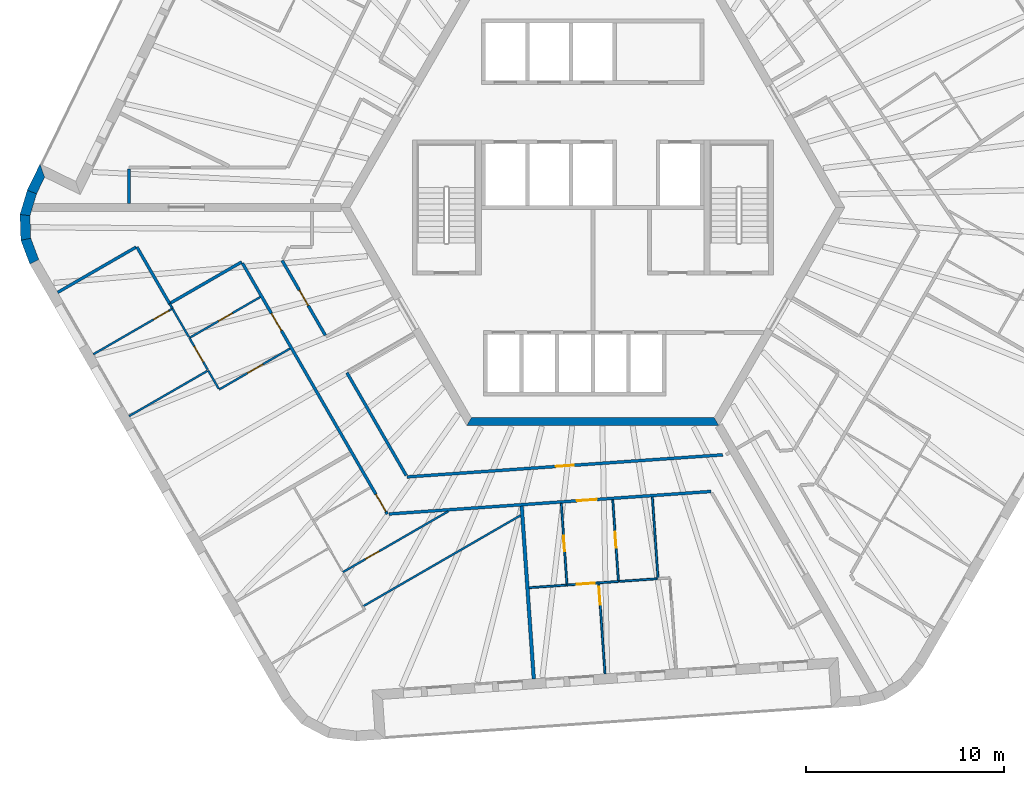
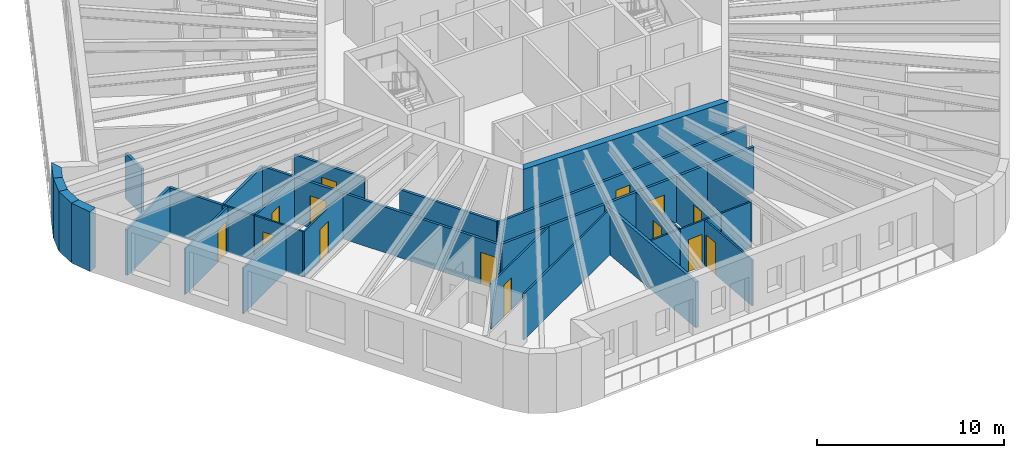
# One storey, part 4 of 12: 32 walls, 14 doors, 14 openings.
"""IFC4 building model written with IfcOpenShell, lengths in metres."""

from ifc_helpers import new_model, si_unit, direction, frame, frame_2d, origin, place, context, subcontext, project, spatial, polyline, rectangle, outline, extrude, material, layer, layer_set, type_object, element, fill, save


model = new_model("IFC4")

# Units and contexts
model_context = context("Model", 3, precision=1e-05, world=origin(), true_north=direction((0.0, 1.0)))
body_context = subcontext(model_context, "Body", "Model", "MODEL_VIEW")
ifc_project = project(units=[si_unit("LENGTHUNIT", "METRE"), si_unit("AREAUNIT", "SQUARE_METRE"), si_unit("VOLUMEUNIT", "CUBIC_METRE"), si_unit("PLANEANGLEUNIT", "RADIAN"), si_unit("MASSUNIT", "GRAM", prefix="KILO")], contexts=[model_context])

# Site, building, storey
site_placement = place(None, origin())
site = spatial("IfcSite", under=ifc_project, at=site_placement, CompositionType="ELEMENT")
building_placement = place(site_placement, origin())
building = spatial("IfcBuilding", under=site, at=building_placement, Name="Tarnside Tower", CompositionType="ELEMENT")
storey_placement = place(building_placement, frame((0.0, 0.0, 322.5)))
storey = spatial("IfcBuildingStorey", under=building, at=storey_placement, Name="L78", CompositionType="ELEMENT", Elevation=322.5)

# Wall, opening, door
ifc_material_1 = material(Name="Gypsum board partition on steel studs", Category="steel")
ifc_layer_1 = layer(ifc_material_1, 0.10009765625)
ifc_layer_set_1 = layer_set([ifc_layer_1], Name="Bathroom wall 100")
wall_type_1 = type_object("IfcWallType", Name="Bathroom wall 100", PredefinedType="PARTITIONING", material=ifc_layer_set_1)
wall_1_placement = place(storey_placement, frame((-16.76123046875, -4.518798828125, 0.0), z_axis=(0.0, 0.0, 1.0), x_axis=(-0.866019999656, -0.500009360108, 0.0)))
wall_1 = element("IfcWall", 1, at=wall_1_placement, inside=storey, type_object=wall_type_1, Name="Bathroom wall 25118", PredefinedType="PARTITIONING", context=body_context, shape_type="SweptSolid", body=[
    extrude(rectangle(XDim=4.125, YDim=0.10009765625, at=frame_2d((2.0625, 0.0))), origin(), (0.0, 0.0, 1.0), 2.98779296875),
])
opening_1_placement = place(wall_1_placement, frame((1.625, 0.0, 0.0)))
opening_1 = element("IfcOpeningElement", 2, at=opening_1_placement, cuts=wall_1, Name="Opening D-B1", PredefinedType="OPENING", context=body_context, shape_type="SweptSolid", body=[
    extrude(rectangle(XDim=0.800048828125, YDim=2.10009765625, at=frame_2d((0.39990234375, 1.050048828125))), frame((0.0, 0.06005859375, 0.0), z_axis=(0.0, -1.0, 0.0), x_axis=(1.0, 0.0, 0.0)), (0.0, 0.0, 1.0), 0.1201171875),
])
ifc_material_2 = material(Name="Timber door leaf", Category="wood")
door_type_1 = type_object("IfcDoorType", Name="Bathroom door 800", OperationType="NOTDEFINED", PredefinedType="DOOR", material=ifc_material_2)
door_1_placement = place(opening_1_placement, origin())
door_1 = element("IfcDoor", 3, at=door_1_placement, inside=storey, type_object=door_type_1, Name="Bathroom door 25023", OperationType="SINGLE_SWING_RIGHT", OverallHeight=2.10009765625, OverallWidth=0.800048828125, PredefinedType="DOOR", context=body_context, shape_type="SweptSolid", body=[
    extrude(rectangle(XDim=0.800048828125, YDim=2.10009765625, at=frame_2d((0.39990234375, 1.050048828125))), frame((0.0, 0.02490234375, 0.0), z_axis=(0.0, -1.0, 0.0), x_axis=(1.0, 0.0, 0.0)), (0.0, 0.0, 1.0), 0.050048828125),
])
fill(opening_1, door_1)

# Walls
wall_2_placement = place(storey_placement, frame((-21.33447265625, -4.84765625, 0.0), z_axis=(0.0, 0.0, 1.0), x_axis=(0.500249908544, -0.865881070934, 0.0)))
element("IfcWall", 4, at=wall_2_placement, inside=storey, type_object=wall_type_1, Name="Bathroom wall 25120", PredefinedType="PARTITIONING", context=body_context, shape_type="SweptSolid", body=[
    extrude(rectangle(XDim=0.293701171875, YDim=0.10009765625, at=frame_2d((0.14697265625, 0.0))), origin(), (0.0, 0.0, 1.0), 2.98779296875),
])
wall_3_placement = place(storey_placement, frame((-21.1875, -5.10205078125, 0.0), z_axis=(0.0, 0.0, 1.0), x_axis=(0.499998264499, -0.866026405774, 0.0)))
element("IfcWall", 5, at=wall_3_placement, inside=storey, type_object=wall_type_1, Name="Bathroom wall 25121", PredefinedType="PARTITIONING", context=body_context, shape_type="SweptSolid", body=[
    extrude(rectangle(XDim=1.66015625, YDim=0.10009765625, at=frame_2d((0.830078125, 0.0))), origin(), (0.0, 0.0, 1.0), 2.98779296875),
])
wall_4_placement = place(storey_placement, frame((-3.640625, -15.525146484375, 0.0), z_axis=(0.0, 0.0, 1.0), x_axis=(-0.866026229868, -0.499998569178, 0.0)))
element("IfcWall", 6, at=wall_4_placement, inside=storey, type_object=wall_type_1, Name="Bathroom wall 25125", PredefinedType="PARTITIONING", context=body_context, shape_type="SweptSolid", body=[
    extrude(rectangle(XDim=9.1845703125, YDim=0.10009765625, at=frame_2d((4.59228515625, 0.0))), origin(), (0.0, 0.0, 1.0), 2.98779296875),
])

# Wall, opening, door
wall_5_placement = place(storey_placement, frame((-12.5947265625, -18.38525390625, 0.0), z_axis=(0.0, 0.0, 1.0), x_axis=(0.866031041839, 0.499990234476, 0.0)))
wall_5 = element("IfcWall", 7, at=wall_5_placement, inside=storey, type_object=wall_type_1, Name="Bathroom wall 25131", PredefinedType="PARTITIONING", context=body_context, shape_type="SweptSolid", body=[
    extrude(rectangle(XDim=6.12939453125, YDim=0.10009765625, at=frame_2d((3.064697265625, 0.0))), origin(), (0.0, 0.0, 1.0), 2.98779296875),
])
opening_2_placement = place(wall_5_placement, frame((1.300048828125, 0.0, 0.0)))
opening_2 = element("IfcOpeningElement", 8, at=opening_2_placement, cuts=wall_5, Name="Opening D-B1", PredefinedType="OPENING", context=body_context, shape_type="SweptSolid", body=[
    extrude(rectangle(XDim=0.800048828125, YDim=2.10009765625, at=frame_2d((0.39990234375, 1.050048828125))), frame((0.0, 0.06005859375, 0.0), z_axis=(0.0, -1.0, 0.0), x_axis=(1.0, 0.0, 0.0)), (0.0, 0.0, 1.0), 0.1201171875),
])
door_2_placement = place(opening_2_placement, origin())
door_2 = element("IfcDoor", 9, at=door_2_placement, inside=storey, type_object=door_type_1, Name="Bathroom door 25037", OperationType="SINGLE_SWING_RIGHT", OverallHeight=2.10009765625, OverallWidth=0.800048828125, PredefinedType="DOOR", context=body_context, shape_type="SweptSolid", body=[
    extrude(rectangle(XDim=0.800048828125, YDim=2.10009765625, at=frame_2d((0.39990234375, 1.050048828125))), frame((0.0, 0.02490234375, 0.0), z_axis=(0.0, -1.0, 0.0), x_axis=(1.0, 0.0, 0.0)), (0.0, 0.0, 1.0), 0.050048828125),
])
fill(opening_2, door_2)

# Wall
wall_6_placement = place(storey_placement, frame((3.001220703125, -14.601318359375, 0.0), z_axis=(0.0, 0.0, 1.0), x_axis=(0.06972428516, -0.997566300583, 0.0)))
element("IfcWall", 10, at=wall_6_placement, inside=storey, type_object=wall_type_1, Name="Bathroom wall 25138", PredefinedType="PARTITIONING", context=body_context, shape_type="SweptSolid", body=[
    extrude(rectangle(XDim=4.124755859375, YDim=0.10009765625, at=frame_2d((2.0625, 0.0))), origin(), (0.0, 0.0, 1.0), 2.98779296875),
])

# Wall, opening, door
wall_7_placement = place(storey_placement, frame((-1.587646484375, -14.922119140625, 0.0), z_axis=(0.0, 0.0, 1.0), x_axis=(0.069720168556, -0.997566588302, 0.0)))
wall_7 = element("IfcWall", 11, at=wall_7_placement, inside=storey, type_object=wall_type_1, Name="Bathroom wall 25139", PredefinedType="PARTITIONING", context=body_context, shape_type="SweptSolid", body=[
    extrude(rectangle(XDim=4.125, YDim=0.10009765625, at=frame_2d((2.0625, 0.0))), origin(), (0.0, 0.0, 1.0), 2.98779296875),
])
opening_3_placement = place(wall_7_placement, frame((1.625, 0.0, 0.0)))
opening_3 = element("IfcOpeningElement", 12, at=opening_3_placement, cuts=wall_7, Name="Opening D-B1", PredefinedType="OPENING", context=body_context, shape_type="SweptSolid", body=[
    extrude(rectangle(XDim=0.800048828125, YDim=2.10009765625, at=frame_2d((0.39990234375, 1.050048828125))), frame((0.0, 0.06005859375, 0.0), z_axis=(0.0, -1.0, 0.0), x_axis=(1.0, 0.0, 0.0)), (0.0, 0.0, 1.0), 0.1201171875),
])
door_3_placement = place(opening_3_placement, origin())
door_3 = element("IfcDoor", 13, at=door_3_placement, inside=storey, type_object=door_type_1, Name="Bathroom door 25039", OperationType="SINGLE_SWING_RIGHT", OverallHeight=2.10009765625, OverallWidth=0.800048828125, PredefinedType="DOOR", context=body_context, shape_type="SweptSolid", body=[
    extrude(rectangle(XDim=0.800048828125, YDim=2.10009765625, at=frame_2d((0.39990234375, 1.050048828125))), frame((0.0, 0.02490234375, 0.0), z_axis=(0.0, -1.0, 0.0), x_axis=(1.0, 0.0, 0.0)), (0.0, 0.0, 1.0), 0.050048828125),
])
fill(opening_3, door_3)

wall_8_placement = place(storey_placement, frame((1.293701171875, -18.855712890625, 0.0), z_axis=(0.0, 0.0, 1.0), x_axis=(-0.069720168556, 0.997566588302, 0.0)))
wall_8 = element("IfcWall", 14, at=wall_8_placement, inside=storey, type_object=wall_type_1, Name="Bathroom wall 25142", PredefinedType="PARTITIONING", context=body_context, shape_type="SweptSolid", body=[
    extrude(rectangle(XDim=4.125, YDim=0.10009765625, at=frame_2d((2.0625, 0.0))), origin(), (0.0, 0.0, 1.0), 2.98779296875),
])
opening_4_placement = place(wall_8_placement, frame((1.699951171875, 0.0, 0.0)))
opening_4 = element("IfcOpeningElement", 15, at=opening_4_placement, cuts=wall_8, Name="Opening D-B1", PredefinedType="OPENING", context=body_context, shape_type="SweptSolid", body=[
    extrude(rectangle(XDim=0.800048828125, YDim=2.10009765625, at=frame_2d((0.39990234375, 1.050048828125))), frame((0.0, 0.06005859375, 0.0), z_axis=(0.0, -1.0, 0.0), x_axis=(1.0, 0.0, 0.0)), (0.0, 0.0, 1.0), 0.1201171875),
])
door_4_placement = place(opening_4_placement, origin())
door_4 = element("IfcDoor", 16, at=door_4_placement, inside=storey, type_object=door_type_1, Name="Bathroom door 25046", OperationType="SINGLE_SWING_LEFT", OverallHeight=2.10009765625, OverallWidth=0.800048828125, PredefinedType="DOOR", context=body_context, shape_type="SweptSolid", body=[
    extrude(rectangle(XDim=0.800048828125, YDim=2.10009765625, at=frame_2d((0.39990234375, 1.050048828125))), frame((0.0, 0.02490234375, 0.0), z_axis=(0.0, -1.0, 0.0), x_axis=(1.0, 0.0, 0.0)), (0.0, 0.0, 1.0), 0.050048828125),
])
fill(opening_4, door_4)

# Walls
wall_9_placement = place(storey_placement, frame((-3.205322265625, -19.17041015625, 0.0), z_axis=(0.0, 0.0, 1.0), x_axis=(0.99755494671, 0.069886538722, 0.0)))
element("IfcWall", 17, at=wall_9_placement, inside=storey, type_object=wall_type_1, Name="Bathroom wall 25143", PredefinedType="PARTITIONING", context=body_context, shape_type="SweptSolid", body=[
    extrude(rectangle(XDim=1.862060546875, YDim=0.10009765625, at=frame_2d((0.93115234375, 0.0))), origin(), (0.0, 0.0, 1.0), 2.98779296875),
])
wall_10_placement = place(storey_placement, frame((3.239013671875, -18.7197265625, 0.0), z_axis=(0.0, 0.0, 1.0), x_axis=(-0.997563261324, -0.069767755139, 0.0)))
element("IfcWall", 18, at=wall_10_placement, inside=storey, type_object=wall_type_1, Name="Bathroom wall 25145", PredefinedType="PARTITIONING", context=body_context, shape_type="SweptSolid", body=[
    extrude(rectangle(XDim=1.900146484375, YDim=0.10009765625, at=frame_2d((0.9501953125, 0.0))), origin(), (0.0, 0.0, 1.0), 2.98779296875),
])
ifc_material_3 = material(Name="Concrete C60/75", Category="concrete")
ifc_layer_2 = layer(ifc_material_3, 0.39990234375)
ifc_layer_set_2 = layer_set([ifc_layer_2], Name="Core wall Z3 400 C60/75")
wall_type_2 = type_object("IfcWallType", Name="Core wall Z3 400 C60/75", PredefinedType="SHEAR", material=ifc_layer_set_2)
wall_11_placement = place(storey_placement, frame((-6.2353515625, -10.800048828125, -0.14990234375), z_axis=(0.0, 0.0, 1.0), x_axis=(1.0, 0.0, 0.0)))
element("IfcWall", 19, at=wall_11_placement, inside=storey, type_object=wall_type_2, Name="L78 core wall face 4", PredefinedType="SHEAR", context=body_context, shape_type="SweptSolid", body=[
    extrude(outline(polyline([(-0.115478515625, -0.199951171875), (12.586181640625, -0.199951171875), (12.355224609375, 0.199951171875), (0.115478515625, 0.199951171875), (-0.115478515625, -0.199951171875)])), origin(), (0.0, 0.0, 1.0), 3.89990234375),
])
ifc_layer_3 = layer(ifc_material_1, 0.14990234375)
ifc_layer_set_3 = layer_set([ifc_layer_3], Name="Corridor wall 150 EI 60")
wall_type_3 = type_object("IfcWallType", Name="Corridor wall 150 EI 60", PredefinedType="PARTITIONING", material=ifc_layer_set_3)
wall_12_placement = place(storey_placement, frame((-23.3740234375, 1.925048828125, 0.0), z_axis=(0.0, 0.0, 1.0), x_axis=(0.0, -1.0, 0.0)))
element("IfcWall", 20, at=wall_12_placement, inside=storey, type_object=wall_type_3, Name="Corridor wall 25018", PredefinedType="PARTITIONING", context=body_context, shape_type="SweptSolid", body=[
    extrude(rectangle(XDim=1.72509765625, YDim=0.14990234375, at=frame_2d((0.862548828125, 0.0))), origin(), (0.0, 0.0, 1.0), 2.98779296875),
])

# Wall, openings, doors
wall_13_placement = place(storey_placement, frame((-17.65869140625, -2.814208984375, 0.0), z_axis=(0.0, 0.0, 1.0), x_axis=(0.499992611149, -0.866029669697, 0.0)))
wall_13 = element("IfcWall", 21, at=wall_13_placement, inside=storey, type_object=wall_type_3, Name="Corridor wall 25028", PredefinedType="PARTITIONING", context=body_context, shape_type="SweptSolid", body=[
    extrude(rectangle(XDim=14.602294921875, YDim=0.14990234375, at=frame_2d((7.30126953125, 0.0))), origin(), (0.0, 0.0, 1.0), 2.98779296875),
])
opening_5_placement = place(wall_13_placement, frame((2.925048828125, 0.0, 0.0)))
opening_5 = element("IfcOpeningElement", 22, at=opening_5_placement, cuts=wall_13, Name="Opening D-E1", PredefinedType="OPENING", context=body_context, shape_type="SweptSolid", body=[
    extrude(rectangle(XDim=1.0, YDim=2.10009765625, at=frame_2d((0.5, 1.050048828125))), frame((0.0, 0.0849609375, 0.0), z_axis=(0.0, -1.0, 0.0), x_axis=(1.0, 0.0, 0.0)), (0.0, 0.0, 1.0), 0.169921875),
])
opening_6_placement = place(wall_13_placement, frame((13.4521484375, 0.0, 0.0)))
opening_6 = element("IfcOpeningElement", 23, at=opening_6_placement, cuts=wall_13, Name="Opening D-E1", PredefinedType="OPENING", context=body_context, shape_type="SweptSolid", body=[
    extrude(rectangle(XDim=1.0, YDim=2.10009765625, at=frame_2d((0.5, 1.050048828125))), frame((0.0, 0.0849609375, 0.0), z_axis=(0.0, -1.0, 0.0), x_axis=(1.0, 0.0, 0.0)), (0.0, 0.0, 1.0), 0.169921875),
])
door_type_2 = type_object("IfcDoorType", Name="Unit entrance door 1000 FD30S", OperationType="NOTDEFINED", PredefinedType="DOOR", material=ifc_material_2)
door_5_placement = place(opening_5_placement, origin())
door_5 = element("IfcDoor", 24, at=door_5_placement, inside=storey, type_object=door_type_2, Name="Unit door 25022", OperationType="SINGLE_SWING_RIGHT", OverallHeight=2.10009765625, OverallWidth=1.0, PredefinedType="DOOR", context=body_context, shape_type="SweptSolid", body=[
    extrude(rectangle(XDim=1.0, YDim=2.10009765625, at=frame_2d((0.5, 1.050048828125))), frame((0.0, 0.02490234375, 0.0), z_axis=(0.0, -1.0, 0.0), x_axis=(1.0, 0.0, 0.0)), (0.0, 0.0, 1.0), 0.050048828125),
])
fill(opening_5, door_5)
door_6_placement = place(opening_6_placement, origin())
door_6 = element("IfcDoor", 25, at=door_6_placement, inside=storey, type_object=door_type_2, Name="Unit door 25029", OperationType="SINGLE_SWING_LEFT", OverallHeight=2.10009765625, OverallWidth=1.0, PredefinedType="DOOR", context=body_context, shape_type="SweptSolid", body=[
    extrude(rectangle(XDim=1.0, YDim=2.10009765625, at=frame_2d((0.5, 1.050048828125))), frame((0.0, 0.02490234375, 0.0), z_axis=(0.0, -1.0, 0.0), x_axis=(1.0, 0.0, 0.0)), (0.0, 0.0, 1.0), 0.050048828125),
])
fill(opening_6, door_6)

# Walls
wall_14_placement = place(storey_placement, frame((-21.33349609375, -4.849365234375, 0.0), z_axis=(0.0, 0.0, 1.0), x_axis=(0.866009402589, 0.500027713859, 0.0)))
element("IfcWall", 26, at=wall_14_placement, inside=storey, type_object=wall_type_3, Name="Corridor wall 25030", PredefinedType="PARTITIONING", context=body_context, shape_type="SweptSolid", body=[
    extrude(rectangle(XDim=4.199951171875, YDim=0.14990234375, at=frame_2d((2.10009765625, 0.0))), origin(), (0.0, 0.0, 1.0), 2.98779296875),
])
wall_15_placement = place(storey_placement, frame((-26.97119140625, -4.284423828125, 0.0), z_axis=(0.0, 0.0, 1.0), x_axis=(0.866028083473, 0.499995358614, 0.0)))
element("IfcWall", 27, at=wall_15_placement, inside=storey, type_object=wall_type_3, Name="Corridor wall 25032", PredefinedType="PARTITIONING", context=body_context, shape_type="SweptSolid", body=[
    extrude(rectangle(XDim=4.56884765625, YDim=0.14990234375, at=frame_2d((2.284423828125, 0.0))), origin(), (0.0, 0.0, 1.0), 2.98779296875),
])
wall_16_placement = place(storey_placement, frame((-22.978515625, -2.0, 0.0), z_axis=(0.0, 0.0, 1.0), x_axis=(0.499989815132, -0.866031283941, 0.0)))
element("IfcWall", 28, at=wall_16_placement, inside=storey, type_object=wall_type_3, Name="Corridor wall 25033", PredefinedType="PARTITIONING", context=body_context, shape_type="SweptSolid", body=[
    extrude(rectangle(XDim=3.29345703125, YDim=0.14990234375, at=frame_2d((1.646728515625, 0.0))), origin(), (0.0, 0.0, 1.0), 2.98779296875),
])

# Wall, opening, door
wall_17_placement = place(storey_placement, frame((-10.2744140625, -15.454345703125, 0.0), z_axis=(0.0, 0.0, 1.0), x_axis=(0.997564284069, 0.069753130035, 0.0)))
wall_17 = element("IfcWall", 29, at=wall_17_placement, inside=storey, type_object=wall_type_3, Name="Corridor wall 25035", PredefinedType="PARTITIONING", context=body_context, shape_type="SweptSolid", body=[
    extrude(rectangle(XDim=16.271728515625, YDim=0.14990234375, at=frame_2d((8.1357421875, 0.0))), origin(), (0.0, 0.0, 1.0), 2.98779296875),
])
opening_7_placement = place(wall_17_placement, frame((9.502685546875, 0.0, 0.0)))
opening_7 = element("IfcOpeningElement", 30, at=opening_7_placement, cuts=wall_17, Name="Opening D-E1", PredefinedType="OPENING", context=body_context, shape_type="SweptSolid", body=[
    extrude(rectangle(XDim=1.0, YDim=2.10009765625, at=frame_2d((0.5, 1.050048828125))), frame((0.0, 0.0849609375, 0.0), z_axis=(0.0, -1.0, 0.0), x_axis=(1.0, 0.0, 0.0)), (0.0, 0.0, 1.0), 0.169921875),
])
door_7_placement = place(opening_7_placement, origin())
door_7 = element("IfcDoor", 31, at=door_7_placement, inside=storey, type_object=door_type_2, Name="Unit door 25038", OperationType="SINGLE_SWING_RIGHT", OverallHeight=2.10009765625, OverallWidth=1.0, PredefinedType="DOOR", context=body_context, shape_type="SweptSolid", body=[
    extrude(rectangle(XDim=1.0, YDim=2.10009765625, at=frame_2d((0.5, 1.050048828125))), frame((0.0, 0.02490234375, 0.0), z_axis=(0.0, -1.0, 0.0), x_axis=(1.0, 0.0, 0.0)), (0.0, 0.0, 1.0), 0.050048828125),
])
fill(opening_7, door_7)

wall_18_placement = place(storey_placement, frame((-13.480712890625, -6.45068359375, 0.0), z_axis=(0.0, 0.0, 1.0), x_axis=(-0.499990905326, 0.866030654533, 0.0)))
wall_18 = element("IfcWall", 32, at=wall_18_placement, inside=storey, type_object=wall_type_3, Name="Corridor wall 25045", PredefinedType="PARTITIONING", context=body_context, shape_type="SweptSolid", body=[
    extrude(rectangle(XDim=4.35595703125, YDim=0.14990234375, at=frame_2d((2.177978515625, 0.0))), origin(), (0.0, 0.0, 1.0), 2.98779296875),
])
opening_8_placement = place(wall_18_placement, frame((1.72802734375, 0.0, 0.0)))
opening_8 = element("IfcOpeningElement", 33, at=opening_8_placement, cuts=wall_18, Name="Opening D-S1", PredefinedType="OPENING", context=body_context, shape_type="SweptSolid", body=[
    extrude(rectangle(XDim=0.89990234375, YDim=2.10009765625, at=frame_2d((0.449951171875, 1.050048828125))), frame((0.0, 0.0849609375, 0.0), z_axis=(0.0, -1.0, 0.0), x_axis=(1.0, 0.0, 0.0)), (0.0, 0.0, 1.0), 0.169921875),
])
door_type_3 = type_object("IfcDoorType", Name="Service room door 900 FD30S", OperationType="NOTDEFINED", PredefinedType="DOOR", material=ifc_material_2)
door_8_placement = place(opening_8_placement, origin())
door_8 = element("IfcDoor", 34, at=door_8_placement, inside=storey, type_object=door_type_3, Name="Service door 25073", OperationType="SINGLE_SWING_RIGHT", OverallHeight=2.10009765625, OverallWidth=0.89990234375, PredefinedType="DOOR", context=body_context, shape_type="SweptSolid", body=[
    extrude(rectangle(XDim=0.89990234375, YDim=2.10009765625, at=frame_2d((0.449951171875, 1.050048828125))), frame((0.0, 0.02490234375, 0.0), z_axis=(0.0, -1.0, 0.0), x_axis=(1.0, 0.0, 0.0)), (0.0, 0.0, 1.0), 0.050048828125),
])
fill(opening_8, door_8)

wall_19_placement = place(storey_placement, frame((6.550537109375, -12.473388671875, 0.0), z_axis=(0.0, 0.0, 1.0), x_axis=(-0.997563421853, -0.069765459797, 0.0)))
wall_19 = element("IfcWall", 35, at=wall_19_placement, inside=storey, type_object=wall_type_3, Name="Corridor wall 25050", PredefinedType="PARTITIONING", context=body_context, shape_type="SweptSolid", body=[
    extrude(rectangle(XDim=15.950439453125, YDim=0.14990234375, at=frame_2d((7.97509765625, 0.0))), origin(), (0.0, 0.0, 1.0), 2.98779296875),
])
opening_9_placement = place(wall_19_placement, frame((7.525146484375, 0.0, 0.0)))
opening_9 = element("IfcOpeningElement", 36, at=opening_9_placement, cuts=wall_19, Name="Opening D-S1", PredefinedType="OPENING", context=body_context, shape_type="SweptSolid", body=[
    extrude(rectangle(XDim=0.89990234375, YDim=2.10009765625, at=frame_2d((0.449951171875, 1.050048828125))), frame((0.0, 0.0849609375, 0.0), z_axis=(0.0, -1.0, 0.0), x_axis=(1.0, 0.0, 0.0)), (0.0, 0.0, 1.0), 0.169921875),
])
door_9_placement = place(opening_9_placement, origin())
door_9 = element("IfcDoor", 37, at=door_9_placement, inside=storey, type_object=door_type_3, Name="Service door 25074", OperationType="SINGLE_SWING_RIGHT", OverallHeight=2.10009765625, OverallWidth=0.89990234375, PredefinedType="DOOR", context=body_context, shape_type="SweptSolid", body=[
    extrude(rectangle(XDim=0.89990234375, YDim=2.10009765625, at=frame_2d((0.449951171875, 1.050048828125))), frame((0.0, 0.02490234375, 0.0), z_axis=(0.0, -1.0, 0.0), x_axis=(1.0, 0.0, 0.0)), (0.0, 0.0, 1.0), 0.050048828125),
])
fill(opening_9, door_9)

# Walls
wall_20_placement = place(storey_placement, frame((-9.40283203125, -13.513916015625, 0.0), z_axis=(0.0, 0.0, 1.0), x_axis=(-0.499998061752, 0.866026522829, 0.0)))
element("IfcWall", 38, at=wall_20_placement, inside=storey, type_object=wall_type_3, Name="Corridor wall 25051", PredefinedType="PARTITIONING", context=body_context, shape_type="SweptSolid", body=[
    extrude(rectangle(XDim=5.98095703125, YDim=0.14990234375, at=frame_2d((2.990478515625, 0.0))), origin(), (0.0, 0.0, 1.0), 2.98779296875),
])
ifc_layer_4 = layer(ifc_material_1, 0.179931640625)
ifc_layer_set_4 = layer_set([ifc_layer_4], Name="Demising wall 180 EI 60")
wall_type_4 = type_object("IfcWallType", Name="Demising wall 180 EI 60", PredefinedType="PARTITIONING", material=ifc_layer_set_4)
wall_21_placement = place(storey_placement, frame((-2.97412109375, -23.765380859375, 0.0), z_axis=(0.0, 0.0, 1.0), x_axis=(-0.06975756604, 0.997563973878, 0.0)))
element("IfcWall", 39, at=wall_21_placement, inside=storey, type_object=wall_type_4, Name="Demising wall 25126", PredefinedType="PARTITIONING", context=body_context, shape_type="SweptSolid", body=[
    extrude(rectangle(XDim=8.72509765625, YDim=0.179931640625, at=frame_2d((4.362548828125, 0.0))), origin(), (0.0, 0.0, 1.0), 2.98779296875),
])
ifc_material_4 = material(Name="Dark zinc cladding")
ifc_layer_5 = layer(ifc_material_4, 0.10205078125)
ifc_material_5 = material(Name="Concrete C60/75 precast", Category="concrete")
ifc_layer_6 = layer(ifc_material_5, 0.298095703125)
ifc_material_6 = material(Name="Mineral wool insulation")
ifc_layer_7 = layer(ifc_material_6, 0.10009765625)
ifc_layer_set_5 = layer_set([ifc_layer_5, ifc_layer_6, ifc_layer_7], Name="Loggia wall 500 zinc faced")
wall_type_5 = type_object("IfcWallType", Name="Loggia wall 500 zinc faced", PredefinedType="SOLIDWALL", material=ifc_layer_set_5)
wall_22_placement = place(storey_placement, frame((-27.745849609375, 1.852783203125, -0.14990234375), z_axis=(0.0, 0.0, 1.0), x_axis=(-0.438319390103, -0.898819287877, 0.0)))
element("IfcWall", 40, at=wall_22_placement, inside=storey, type_object=wall_type_5, Name="Tube wall L78 F2 stub 08", PredefinedType="SOLIDWALL", context=body_context, shape_type="SweptSolid", body=[
    extrude(outline(polyline([(-0.25, -0.25), (1.22021484375, -0.25), (1.17919921875, 0.25), (0.25, 0.25), (-0.25, -0.25)])), origin(), (0.0, 0.0, 1.0), 3.89990234375),
])

# Wall, opening, door
ifc_layer_8 = layer(ifc_material_1, 0.10009765625)
ifc_layer_set_6 = layer_set([ifc_layer_8], Name="Partition 100")
wall_type_6 = type_object("IfcWallType", Name="Partition 100", PredefinedType="PARTITIONING", material=ifc_layer_set_6)
wall_23_placement = place(storey_placement, frame((-15.26123046875, -7.116943359375, 0.0), z_axis=(0.0, 0.0, 1.0), x_axis=(-0.866019999656, -0.500009360108, 0.0)))
wall_23 = element("IfcWall", 41, at=wall_23_placement, inside=storey, type_object=wall_type_6, Name="Partition wall 25113", PredefinedType="PARTITIONING", context=body_context, shape_type="SweptSolid", body=[
    extrude(rectangle(XDim=4.125, YDim=0.10009765625, at=frame_2d((2.0625, 0.0))), origin(), (0.0, 0.0, 1.0), 2.98779296875),
])
opening_10_placement = place(wall_23_placement, frame((1.574951171875, 0.0, 0.0)))
opening_10 = element("IfcOpeningElement", 42, at=opening_10_placement, cuts=wall_23, Name="Opening D-I1", PredefinedType="OPENING", context=body_context, shape_type="SweptSolid", body=[
    extrude(rectangle(XDim=0.89990234375, YDim=2.10009765625, at=frame_2d((0.449951171875, 1.050048828125))), frame((0.0, 0.06005859375, 0.0), z_axis=(0.0, -1.0, 0.0), x_axis=(1.0, 0.0, 0.0)), (0.0, 0.0, 1.0), 0.1201171875),
])
door_type_4 = type_object("IfcDoorType", Name="Internal door 900", OperationType="NOTDEFINED", PredefinedType="DOOR", material=ifc_material_2)
door_10_placement = place(opening_10_placement, origin())
door_10 = element("IfcDoor", 43, at=door_10_placement, inside=storey, type_object=door_type_4, Name="Internal door 25024", OperationType="SINGLE_SWING_RIGHT", OverallHeight=2.10009765625, OverallWidth=0.89990234375, PredefinedType="DOOR", context=body_context, shape_type="SweptSolid", body=[
    extrude(rectangle(XDim=0.89990234375, YDim=2.10009765625, at=frame_2d((0.449951171875, 1.050048828125))), frame((0.0, 0.02490234375, 0.0), z_axis=(0.0, -1.0, 0.0), x_axis=(1.0, 0.0, 0.0)), (0.0, 0.0, 1.0), 0.050048828125),
])
fill(opening_10, door_10)

# Walls
wall_24_placement = place(storey_placement, frame((-18.8583984375, -9.13623046875, 0.0), z_axis=(0.0, 0.0, 1.0), x_axis=(-0.499928435111, 0.86606671785, 0.0)))
element("IfcWall", 44, at=wall_24_placement, inside=storey, type_object=wall_type_6, Name="Partition wall 25114", PredefinedType="PARTITIONING", context=body_context, shape_type="SweptSolid", body=[
    extrude(rectangle(XDim=1.060302734375, YDim=0.10009765625, at=frame_2d((0.5302734375, 0.0))), origin(), (0.0, 0.0, 1.0), 2.98779296875),
])
wall_25_placement = place(storey_placement, frame((-19.430908203125, -8.244873046875, 0.0), z_axis=(0.0, 0.0, 1.0), x_axis=(-0.866035472144, -0.499982560684, 0.0)))
element("IfcWall", 45, at=wall_25_placement, inside=storey, type_object=wall_type_6, Name="Partition wall 25115", PredefinedType="PARTITIONING", context=body_context, shape_type="SweptSolid", body=[
    extrude(rectangle(XDim=4.550048828125, YDim=0.10009765625, at=frame_2d((2.27490234375, 0.0))), origin(), (0.0, 0.0, 1.0), 2.98779296875),
])

# Wall, opening, door
wall_26_placement = place(storey_placement, frame((-20.33447265625, -6.57958984375, 0.0), z_axis=(0.0, 0.0, 1.0), x_axis=(0.499955500775, -0.8660510939, 0.0)))
wall_26 = element("IfcWall", 46, at=wall_26_placement, inside=storey, type_object=wall_type_6, Name="Partition wall 25119", PredefinedType="PARTITIONING", context=body_context, shape_type="SweptSolid", body=[
    extrude(rectangle(XDim=1.843994140625, YDim=0.10009765625, at=frame_2d((0.921875, 0.0))), origin(), (0.0, 0.0, 1.0), 2.98779296875),
])
opening_11_placement = place(wall_26_placement, frame((0.498046875, 0.0, 0.0)))
opening_11 = element("IfcOpeningElement", 47, at=opening_11_placement, cuts=wall_26, Name="Opening D-I1", PredefinedType="OPENING", context=body_context, shape_type="SweptSolid", body=[
    extrude(rectangle(XDim=0.89990234375, YDim=2.10009765625, at=frame_2d((0.449951171875, 1.050048828125))), frame((0.0, 0.06005859375, 0.0), z_axis=(0.0, -1.0, 0.0), x_axis=(1.0, 0.0, 0.0)), (0.0, 0.0, 1.0), 0.1201171875),
])
door_11_placement = place(opening_11_placement, origin())
door_11 = element("IfcDoor", 48, at=door_11_placement, inside=storey, type_object=door_type_4, Name="Internal door 25028", OperationType="SINGLE_SWING_LEFT", OverallHeight=2.10009765625, OverallWidth=0.89990234375, PredefinedType="DOOR", context=body_context, shape_type="SweptSolid", body=[
    extrude(rectangle(XDim=0.89990234375, YDim=2.10009765625, at=frame_2d((0.449951171875, 1.050048828125))), frame((0.0, 0.02490234375, 0.0), z_axis=(0.0, -1.0, 0.0), x_axis=(1.0, 0.0, 0.0)), (0.0, 0.0, 1.0), 0.050048828125),
])
fill(opening_11, door_11)

wall_27_placement = place(storey_placement, frame((-25.171142578125, -7.402099609375, 0.0), z_axis=(0.0, 0.0, 1.0), x_axis=(0.866022057717, 0.500005795514, 0.0)))
wall_27 = element("IfcWall", 49, at=wall_27_placement, inside=storey, type_object=wall_type_6, Name="Partition wall 25122", PredefinedType="PARTITIONING", context=body_context, shape_type="SweptSolid", body=[
    extrude(rectangle(XDim=4.5498046875, YDim=0.10009765625, at=frame_2d((2.27490234375, 0.0))), origin(), (0.0, 0.0, 1.0), 2.98779296875),
])
opening_12_placement = place(wall_27_placement, frame((3.5, 0.0, 0.0)))
opening_12 = element("IfcOpeningElement", 50, at=opening_12_placement, cuts=wall_27, Name="Opening D-I1", PredefinedType="OPENING", context=body_context, shape_type="SweptSolid", body=[
    extrude(rectangle(XDim=0.89990234375, YDim=2.10009765625, at=frame_2d((0.449951171875, 1.050048828125))), frame((0.0, 0.06005859375, 0.0), z_axis=(0.0, -1.0, 0.0), x_axis=(1.0, 0.0, 0.0)), (0.0, 0.0, 1.0), 0.1201171875),
])
door_12_placement = place(opening_12_placement, origin())
door_12 = element("IfcDoor", 51, at=door_12_placement, inside=storey, type_object=door_type_4, Name="Internal door 25027", OperationType="SINGLE_SWING_RIGHT", OverallHeight=2.10009765625, OverallWidth=0.89990234375, PredefinedType="DOOR", context=body_context, shape_type="SweptSolid", body=[
    extrude(rectangle(XDim=0.89990234375, YDim=2.10009765625, at=frame_2d((0.449951171875, 1.050048828125))), frame((0.0, 0.02490234375, 0.0), z_axis=(0.0, -1.0, 0.0), x_axis=(1.0, 0.0, 0.0)), (0.0, 0.0, 1.0), 0.050048828125),
])
fill(opening_12, door_12)

wall_28_placement = place(storey_placement, frame((-1.302001953125, -19.037109375, 0.0), z_axis=(0.0, 0.0, 1.0), x_axis=(0.997564189086, 0.06975448841, 0.0)))
wall_28 = element("IfcWall", 52, at=wall_28_placement, inside=storey, type_object=wall_type_6, Name="Partition wall 25140", PredefinedType="PARTITIONING", context=body_context, shape_type="SweptSolid", body=[
    extrude(rectangle(XDim=2.60400390625, YDim=0.10009765625, at=frame_2d((1.302001953125, 0.0))), origin(), (0.0, 0.0, 1.0), 2.98779296875),
])
opening_13_placement = place(wall_28_placement, frame((0.501953125, 0.0, 0.0)))
opening_13 = element("IfcOpeningElement", 53, at=opening_13_placement, cuts=wall_28, Name="Opening D-I1", PredefinedType="OPENING", context=body_context, shape_type="SweptSolid", body=[
    extrude(rectangle(XDim=0.89990234375, YDim=2.10009765625, at=frame_2d((0.449951171875, 1.050048828125))), frame((0.0, 0.06005859375, 0.0), z_axis=(0.0, -1.0, 0.0), x_axis=(1.0, 0.0, 0.0)), (0.0, 0.0, 1.0), 0.1201171875),
])
door_13_placement = place(opening_13_placement, origin())
door_13 = element("IfcDoor", 54, at=door_13_placement, inside=storey, type_object=door_type_4, Name="Internal door 25041", OperationType="SINGLE_SWING_LEFT", OverallHeight=2.10009765625, OverallWidth=0.89990234375, PredefinedType="DOOR", context=body_context, shape_type="SweptSolid", body=[
    extrude(rectangle(XDim=0.89990234375, YDim=2.10009765625, at=frame_2d((0.449951171875, 1.050048828125))), frame((0.0, 0.02490234375, 0.0), z_axis=(0.0, -1.0, 0.0), x_axis=(1.0, 0.0, 0.0)), (0.0, 0.0, 1.0), 0.050048828125),
])
fill(opening_13, door_13)

wall_29_placement = place(storey_placement, frame((0.616943359375, -23.51416015625, 0.0), z_axis=(0.0, 0.0, 1.0), x_axis=(-0.0697559739, 0.997564085212, 0.0)))
wall_29 = element("IfcWall", 55, at=wall_29_placement, inside=storey, type_object=wall_type_6, Name="Partition wall 25144", PredefinedType="PARTITIONING", context=body_context, shape_type="SweptSolid", body=[
    extrude(rectangle(XDim=4.5498046875, YDim=0.10009765625, at=frame_2d((2.27490234375, 0.0))), origin(), (0.0, 0.0, 1.0), 2.98779296875),
])
opening_14_placement = place(wall_29_placement, frame((3.5, 0.0, 0.0)))
opening_14 = element("IfcOpeningElement", 56, at=opening_14_placement, cuts=wall_29, Name="Opening D-I1", PredefinedType="OPENING", context=body_context, shape_type="SweptSolid", body=[
    extrude(rectangle(XDim=0.89990234375, YDim=2.10009765625, at=frame_2d((0.449951171875, 1.050048828125))), frame((0.0, 0.06005859375, 0.0), z_axis=(0.0, -1.0, 0.0), x_axis=(1.0, 0.0, 0.0)), (0.0, 0.0, 1.0), 0.1201171875),
])
door_14_placement = place(opening_14_placement, origin())
door_14 = element("IfcDoor", 57, at=door_14_placement, inside=storey, type_object=door_type_4, Name="Internal door 25044", OperationType="SINGLE_SWING_RIGHT", OverallHeight=2.10009765625, OverallWidth=0.89990234375, PredefinedType="DOOR", context=body_context, shape_type="SweptSolid", body=[
    extrude(rectangle(XDim=0.89990234375, YDim=2.10009765625, at=frame_2d((0.449951171875, 1.050048828125))), frame((0.0, 0.02490234375, 0.0), z_axis=(0.0, -1.0, 0.0), x_axis=(1.0, 0.0, 0.0)), (0.0, 0.0, 1.0), 0.050048828125),
])
fill(opening_14, door_14)

# Walls
ifc_material_7 = material(Name="Facing brick", Category="masonry")
ifc_layer_9 = layer(ifc_material_7, 0.10205078125)
ifc_layer_10 = layer(ifc_material_5, 0.298095703125)
ifc_layer_11 = layer(ifc_material_6, 0.10009765625)
ifc_layer_set_7 = layer_set([ifc_layer_9, ifc_layer_10, ifc_layer_11], Name="Tube wall 500 brick faced")
wall_type_7 = type_object("IfcWallType", Name="Tube wall 500 brick faced", PredefinedType="SOLIDWALL", material=ifc_layer_set_7)
wall_30_placement = place(storey_placement, frame((-28.271728515625, 0.7744140625, -0.14990234375), z_axis=(0.0, 0.0, 1.0), x_axis=(-0.286813843218, -0.957986335674, 0.0)))
element("IfcWall", 58, at=wall_30_placement, inside=storey, type_object=wall_type_7, Name="Tube wall L78 F2 chord 09", PredefinedType="SOLIDWALL", context=body_context, shape_type="SweptSolid", body=[
    extrude(outline(polyline([(-0.0205078125, -0.25), (1.25732421875, -0.25), (1.17529296875, 0.25), (0.0205078125, 0.25), (-0.0205078125, -0.25)])), origin(), (0.0, 0.0, 1.0), 3.89990234375),
])
wall_31_placement = place(storey_placement, frame((-28.62060546875, -0.390869140625, -0.14990234375), z_axis=(0.0, 0.0, 1.0), x_axis=(0.034925456137, -0.999389920158, 0.0)))
element("IfcWall", 59, at=wall_31_placement, inside=storey, type_object=wall_type_7, Name="Tube wall L78 F2 chord 10", PredefinedType="SOLIDWALL", context=body_context, shape_type="SweptSolid", body=[
    extrude(outline(polyline([(-0.041015625, -0.25), (1.25732421875, -0.25), (1.17529296875, 0.25), (0.041015625, 0.25), (-0.041015625, -0.25)])), origin(), (0.0, 0.0, 1.0), 3.89990234375),
])
wall_32_placement = place(storey_placement, frame((-28.578125, -1.6064453125, -0.14990234375), z_axis=(0.0, 0.0, 1.0), x_axis=(0.352838463023, -0.935684251771, 0.0)))
element("IfcWall", 60, at=wall_32_placement, inside=storey, type_object=wall_type_7, Name="Tube wall L78 F2 chord 11", PredefinedType="SOLIDWALL", context=body_context, shape_type="SweptSolid", body=[
    extrude(outline(polyline([(-0.041015625, -0.25), (1.23681640625, -0.25), (1.19580078125, 0.25), (0.041015625, 0.25), (-0.041015625, -0.25)])), origin(), (0.0, 0.0, 1.0), 3.89990234375),
])

save(model, "model.ifc")
